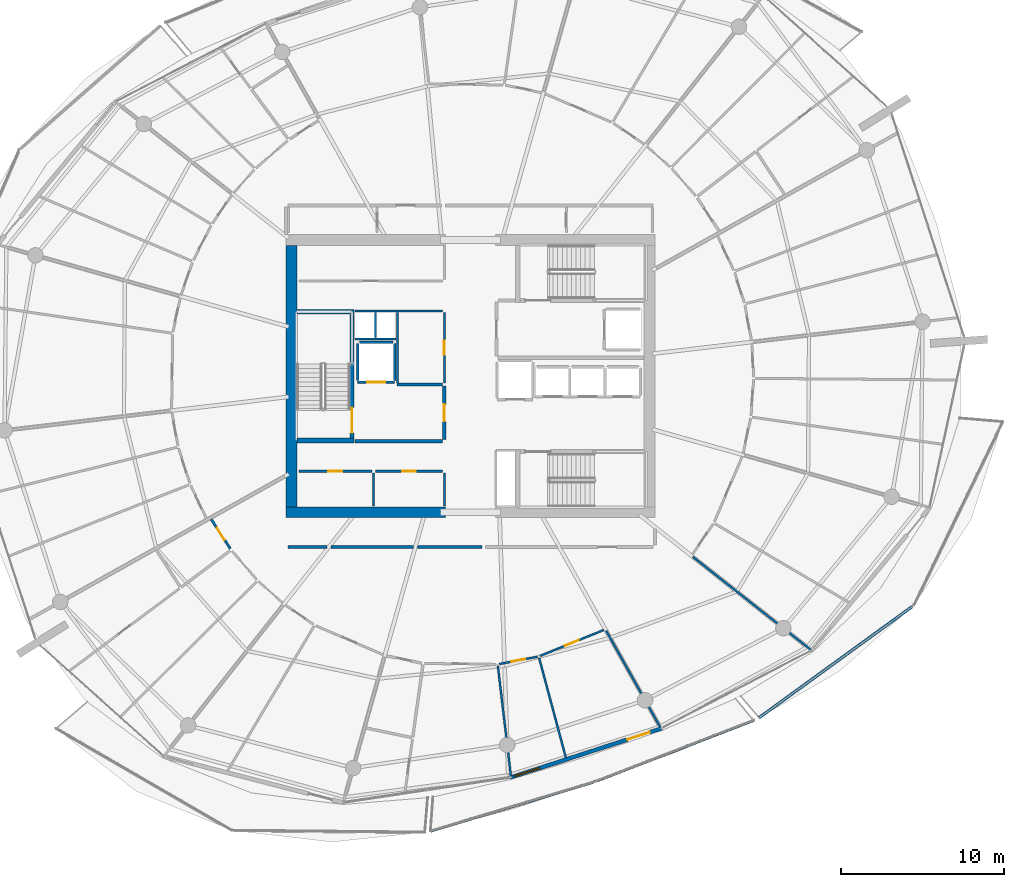
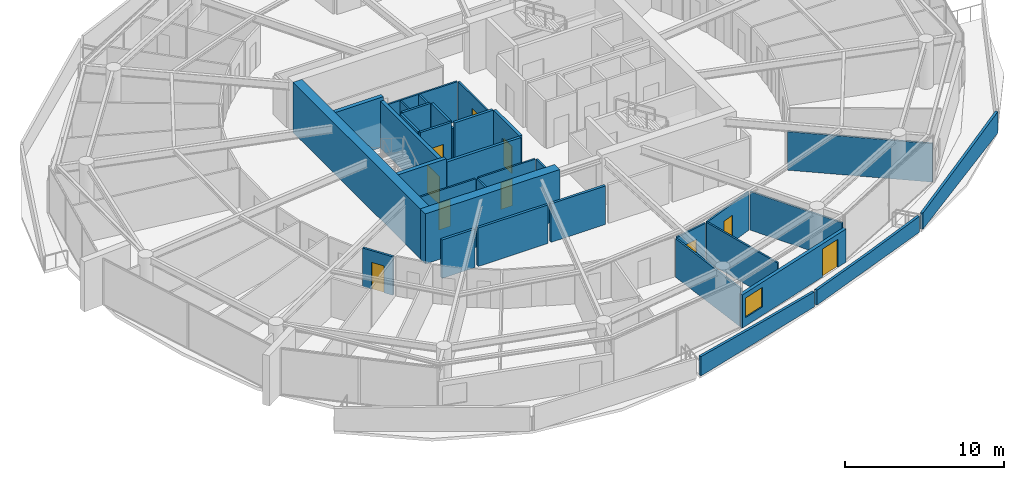
# One storey, part 19 of 30: 35 walls, 10 doors, 1 window, 11 openings.
"""IFC4 building model written with IfcOpenShell, lengths in metres."""

import ifcopenshell
import ifcopenshell.guid

model = None  # the IFC model being written
_history = None  # IfcOwnerHistory: only IFC2X3 demands one
_inside = {}  # id of a spatial element -> (the spatial element, [elements in it])
_under = {}  # id of a project, library or spatial element -> (it, [spatial elements below it])
_declared = {}  # id of a project -> (the project, [libraries it declares])
_typed = {}  # id of a type object -> (the type object, [elements of that type])
_made_of = {}  # id of a material, layer set ... -> (it, [elements and type objects made of it])


def new_model(schema):
    """Start an empty IFC model of exactly this schema.

    Asked for "IFC4X3", IfcOpenShell would pick the latest addendum, in which some entities
    have other attributes; the version numbers below select the first issue.
    IFC2X3 requires an IfcOwnerHistory on every rooted entity: one is made here for all.
    """
    global model, _history
    if schema == "IFC4X3":
        model = ifcopenshell.file(schema_version=(4, 3, 0, 0))
    else:
        model = ifcopenshell.file(schema=schema)
    _inside.clear()
    _under.clear()
    _declared.clear()
    _typed.clear()
    _made_of.clear()
    _history = None
    if model.schema == "IFC2X3":
        org = make("IfcOrganization", Name="unknown")
        user = make(
            "IfcPersonAndOrganization",
            ThePerson=make("IfcPerson", FamilyName="unknown"),
            TheOrganization=org,
        )
        app = make(
            "IfcApplication",
            ApplicationDeveloper=org,
            Version="unknown",
            ApplicationFullName="unknown",
            ApplicationIdentifier="unknown",
        )
        _history = make(
            "IfcOwnerHistory",
            OwningUser=user,
            OwningApplication=app,
            ChangeAction="ADDED",
            CreationDate=0,
        )
    return model


def make(cls, **values):
    """One entity of the class cls with the attributes given. An attribute that is None is left unset."""
    return model.create_entity(
        cls, **{name: value for name, value in values.items() if value is not None}
    )


def rooted(cls, **values):
    """An entity with a GlobalId (a new one), such as an element, a storey or a relation."""
    return make(cls, GlobalId=ifcopenshell.guid.new(), OwnerHistory=_history, **values)


def si_unit(unit_type, name, prefix=None):
    """IfcSIUnit, for example si_unit("LENGTHUNIT", "METRE", prefix="MILLI")."""
    return make("IfcSIUnit", UnitType=unit_type, Prefix=prefix, Name=name)


def assignment(units):
    """IfcUnitAssignment: the units of a project."""
    return None if units is None else make("IfcUnitAssignment", Units=units)


def point(xyz):
    """IfcCartesianPoint."""
    return None if xyz is None else make("IfcCartesianPoint", Coordinates=xyz)


def direction(xyz):
    """IfcDirection."""
    return None if xyz is None else make("IfcDirection", DirectionRatios=xyz)


def frame(location, z_axis=None, x_axis=None):
    """IfcAxis2Placement3D, a coordinate frame: its origin and axes. An axis left out is left unset."""
    return make(
        "IfcAxis2Placement3D",
        Location=point(location),
        Axis=direction(z_axis),
        RefDirection=direction(x_axis),
    )


def frame_2d(location, x_axis=None):
    """IfcAxis2Placement2D, a coordinate frame in the plane: its origin and x axis."""
    return make(
        "IfcAxis2Placement2D", Location=point(location), RefDirection=direction(x_axis)
    )


def origin():
    """The frame at (0, 0, 0) with its axes left unset."""
    return frame((0.0, 0.0, 0.0))


def place(relative_to, where):
    """IfcLocalPlacement: puts the frame where relative to a parent placement (None: the world)."""
    return make(
        "IfcLocalPlacement", PlacementRelTo=relative_to, RelativePlacement=where
    )


def context(
    kind, dimensions, precision=None, world=None, true_north=None, identifier=None
):
    """IfcGeometricRepresentationContext, for example the 3D "Model" context."""
    return make(
        "IfcGeometricRepresentationContext",
        ContextIdentifier=identifier,
        ContextType=kind,
        CoordinateSpaceDimension=dimensions,
        Precision=precision,
        WorldCoordinateSystem=world,
        TrueNorth=true_north,
    )


def subcontext(parent, identifier, kind, view, scale=None):
    """IfcGeometricRepresentationSubContext, for example "Body" below "Model"."""
    return make(
        "IfcGeometricRepresentationSubContext",
        ContextIdentifier=identifier,
        ContextType=kind,
        ParentContext=parent,
        TargetScale=scale,
        TargetView=view,
    )


def project(units=None, contexts=None):
    """IfcProject with its units and contexts."""
    return rooted(
        "IfcProject",
        Name="project",
        RepresentationContexts=contexts,
        UnitsInContext=assignment(units),
    )


def spatial(cls, under=None, at=None, **own):
    """A site, building, storey or space (cls), placed at a placement, below another one or the project."""
    s = rooted(cls, ObjectPlacement=at, **own)
    if under is not None:
        _under.setdefault(under.id(), (under, []))[1].append(s)
    return s


def polyline(points):
    """IfcPolyline through the points."""
    return make("IfcPolyline", Points=[point(p) for p in points])


def profile(cls, at=None, kind="AREA", **sizes):
    """A parametric profile (cls). Its sizes go by their IFC names, for example OverallWidth=200.0."""
    return make(cls, ProfileType=kind, Position=at, **sizes)


def rectangle(**sizes):
    """IfcRectangleProfileDef."""
    return profile("IfcRectangleProfileDef", **sizes)


def outline(outer, holes=None, kind="AREA"):
    """IfcArbitraryClosedProfileDef: a profile drawn as a closed curve; with holes, ...WithVoids."""
    if holes is None:
        return make("IfcArbitraryClosedProfileDef", ProfileType=kind, OuterCurve=outer)
    return make(
        "IfcArbitraryProfileDefWithVoids",
        ProfileType=kind,
        OuterCurve=outer,
        InnerCurves=holes,
    )


def extrude(swept, where, along, depth):
    """IfcExtrudedAreaSolid: the profile swept, set in the frame where, extruded along a direction by depth."""
    return make(
        "IfcExtrudedAreaSolid",
        SweptArea=swept,
        Position=where,
        ExtrudedDirection=direction(along),
        Depth=depth,
    )


def shape(context_of_items, identifier, shape_type, items):
    """IfcShapeRepresentation: the items that make up one representation, for example the "Body"."""
    return make(
        "IfcShapeRepresentation",
        ContextOfItems=context_of_items,
        RepresentationIdentifier=identifier,
        RepresentationType=shape_type,
        Items=items,
    )


def material(Name=None, Category=None):
    """IfcMaterial."""
    return make("IfcMaterial", Name=Name, Category=Category)


def layer(
    of_material, thickness, ventilated=None, Name=None, Category=None, Priority=None
):
    """IfcMaterialLayer: one layer of a wall or slab, of a material (None: an air gap)."""
    return make(
        "IfcMaterialLayer",
        Material=of_material,
        LayerThickness=thickness,
        IsVentilated=ventilated,
        Name=Name,
        Category=Category,
        Priority=Priority,
    )


def layer_set(layers, Name=None):
    """IfcMaterialLayerSet."""
    return make("IfcMaterialLayerSet", MaterialLayers=layers, LayerSetName=Name)


def made_of(thing, what):
    """Note that an element or type object is made of a material, layer set ...; save() writes the relation."""
    if what is not None:
        _made_of.setdefault(what.id(), (what, []))[1].append(thing)
    return thing


def type_object(cls, material=None, **own):
    """A type object (cls), such as IfcWallType, which elements share."""
    return made_of(rooted(cls, **own), material)


def element(
    cls,
    number,
    at=None,
    inside=None,
    cuts=None,
    type_object=None,
    material=None,
    context=None,
    identifier="Body",
    shape_type=None,
    held_by="IfcProductDefinitionShape",
    body=None,
    shapes=None,
    **own,
):
    """One element of the class cls, such as IfcWall. Its Tag is "e" and its number.

    at: its placement. inside: the storey or other place that contains it. cuts: it is an
    opening in that element (IfcRelVoidsElement). A single representation is given by context,
    identifier, shape_type and body (its items); several are given by shapes. held_by: the class
    of the entity that holds the representations. save() writes the other relations.
    """
    e = rooted(cls, Tag="e%d" % number, ObjectPlacement=at, **own)
    if body is not None:
        shapes = [shape(context, identifier, shape_type, body)]
    if shapes is not None:
        e.Representation = make(held_by, Representations=shapes)
    if inside is not None:
        _inside.setdefault(inside.id(), (inside, []))[1].append(e)
    if cuts is not None:
        rooted(
            "IfcRelVoidsElement", RelatingBuildingElement=cuts, RelatedOpeningElement=e
        )
    if type_object is not None:
        _typed.setdefault(type_object.id(), (type_object, []))[1].append(e)
    return made_of(e, material)


def fill(opening, filler):
    """IfcRelFillsElement: the door or window that sits in an opening."""
    return rooted(
        "IfcRelFillsElement",
        RelatingOpeningElement=opening,
        RelatedBuildingElement=filler,
    )


def aggregate(whole, parts):
    """IfcRelAggregates: a whole, such as a stair, and the parts it consists of."""
    return rooted("IfcRelAggregates", RelatingObject=whole, RelatedObjects=parts)


def save(model, path):
    """Write the relations noted so far, then the file.

    IfcRelAggregates (storeys below a building ...), IfcRelContainedInSpatialStructure (elements
    in a storey), IfcRelDefinesByType, IfcRelAssociatesMaterial and IfcRelDeclares: one each for
    every whole, place, type object, material and project.
    """
    for whole, parts in _under.values():
        aggregate(whole, parts)
    for where, things in _inside.values():
        rooted(
            "IfcRelContainedInSpatialStructure",
            RelatedElements=things,
            RelatingStructure=where,
        )
    for kind, things in _typed.values():
        rooted("IfcRelDefinesByType", RelatedObjects=things, RelatingType=kind)
    for what, things in _made_of.values():
        rooted("IfcRelAssociatesMaterial", RelatedObjects=things, RelatingMaterial=what)
    for by, libraries in _declared.values():
        rooted("IfcRelDeclares", RelatingContext=by, RelatedDefinitions=libraries)
    model.write(path)


model = new_model("IFC4")

# Units and contexts
model_context = context("Model", 3, precision=1e-05, world=origin(), true_north=direction((0.0, 1.0)))
body_context = subcontext(model_context, "Body", "Model", "MODEL_VIEW")
ifc_project = project(units=[si_unit("LENGTHUNIT", "METRE"), si_unit("AREAUNIT", "SQUARE_METRE"), si_unit("VOLUMEUNIT", "CUBIC_METRE"), si_unit("PLANEANGLEUNIT", "RADIAN"), si_unit("MASSUNIT", "GRAM", prefix="KILO")], contexts=[model_context])

# Site, building, storey
site_placement = place(None, origin())
site = spatial("IfcSite", under=ifc_project, at=site_placement, CompositionType="ELEMENT")
building_placement = place(site_placement, origin())
building = spatial("IfcBuilding", under=site, at=building_placement, Name="Kazma Halo Residences", CompositionType="ELEMENT")
storey_placement = place(building_placement, frame((0.0, 0.0, 244.39990234375)))
storey = spatial("IfcBuildingStorey", under=building, at=storey_placement, Name="L61", CompositionType="ELEMENT", Elevation=244.39990234375)

# Walls
ifc_material_1 = material(Name="White Concrete C50/60 Balustrade", Category="concrete")
ifc_layer_1 = layer(ifc_material_1, 0.179931640625)
ifc_layer_set_1 = layer_set([ifc_layer_1], Name="White Concrete C50/60 Balustrade")
wall_type_1 = type_object("IfcWallType", Name="WL-BAL-WAVE-180", PredefinedType="PARAPET", material=ifc_layer_set_1)
wall_1_placement = place(storey_placement, frame((45.980224609375, 14.16357421875, 0.0), z_axis=(0.0, 0.0, 1.0), x_axis=(0.957650459476, 0.287933321214, 0.0)))
element("IfcWall", 1, at=wall_1_placement, inside=storey, type_object=wall_type_1, Name="L61 white wave balustrade wall SSE.1", PredefinedType="PARAPET", context=body_context, shape_type="SweptSolid", body=[
    extrude(outline(polyline([(0.0, 0.0), (10.405517578125, 0.0), (10.405517578125, 1.148193359375), (5.20263671875, 1.2841796875), (0.0, 1.483154296875), (0.0, 0.0)])), frame((0.0, 0.08984375, 0.0), z_axis=(0.0, -1.0, 0.0), x_axis=(1.0, 0.0, 0.0)), (0.0, 0.0, 1.0), 0.179931640625),
])
wall_2_placement = place(storey_placement, frame((56.171875, 17.237548828125, 0.0), z_axis=(0.0, 0.0, 1.0), x_axis=(0.9326848715, 0.36069229334, 0.0)))
element("IfcWall", 2, at=wall_2_placement, inside=storey, type_object=wall_type_1, Name="L61 white wave balustrade wall SSE.2", PredefinedType="PARAPET", context=body_context, shape_type="SweptSolid", body=[
    extrude(outline(polyline([(0.0, 0.0), (10.281005859375, 0.0), (10.281005859375, 1.22412109375), (5.140380859375, 1.127197265625), (0.0, 1.148193359375), (0.0, 0.0)])), frame((0.0, 0.08984375, 0.0), z_axis=(0.0, -1.0, 0.0), x_axis=(1.0, 0.0, 0.0)), (0.0, 0.0, 1.0), 0.179931640625),
])
wall_3_placement = place(storey_placement, frame((66.076416015625, 21.09521484375, 0.0), z_axis=(0.0, 0.0, 1.0), x_axis=(0.809261043527, 0.587449200722, 0.0)))
element("IfcWall", 3, at=wall_3_placement, inside=storey, type_object=wall_type_1, Name="L61 white wave balustrade wall SE.1", PredefinedType="PARAPET", context=body_context, shape_type="SweptSolid", body=[
    extrude(outline(polyline([(0.0, 0.0), (11.576904296875, 0.0), (11.576904296875, 1.632080078125), (5.788330078125, 1.418212890625), (0.0, 1.233154296875), (0.0, 0.0)])), frame((0.0, 0.08984375, 0.0), z_axis=(0.0, -1.0, 0.0), x_axis=(1.0, 0.0, 0.0)), (0.0, 0.0, 1.0), 0.179931640625),
])
ifc_material_2 = material(Name="Concrete C60/75", Category="concrete")
ifc_layer_2 = layer(ifc_material_2, 0.64990234375)
ifc_layer_set_2 = layer_set([ifc_layer_2], Name="Concrete C60/75")
wall_type_2 = type_object("IfcWallType", Name="WL-CORE-650", PredefinedType="SHEAR", material=ifc_layer_set_2)
wall_4_placement = place(storey_placement, frame((37.14990234375, 33.675048828125, 0.0), z_axis=(0.0, 0.0, 1.0), x_axis=(1.0, 0.0, 0.0)))
element("IfcWall", 4, at=wall_4_placement, inside=storey, type_object=wall_type_2, Name="L61 central core shear wall SW", PredefinedType="SHEAR", context=body_context, shape_type="SweptSolid", body=[
    extrude(rectangle(XDim=9.75, YDim=0.64990234375, at=frame_2d((4.875, 0.0))), origin(), (0.0, 0.0, 1.0), 3.85009765625),
])
wall_5_placement = place(storey_placement, frame((37.47509765625, 34.0, 0.0), z_axis=(0.0, 0.0, 1.0), x_axis=(0.0, 1.0, 0.0)))
element("IfcWall", 5, at=wall_5_placement, inside=storey, type_object=wall_type_2, Name="L61 central core shear wall W", PredefinedType="SHEAR", context=body_context, shape_type="SweptSolid", body=[
    extrude(rectangle(XDim=16.0, YDim=0.64990234375, at=frame_2d((8.0, 0.0))), origin(), (0.0, 0.0, 1.0), 3.85009765625),
])
ifc_layer_3 = layer(ifc_material_2, 0.280029296875)
ifc_layer_set_3 = layer_set([ifc_layer_3], Name="Concrete C60/75")
wall_type_3 = type_object("IfcWallType", Name="WL-CORE-ST-280", PredefinedType="SHEAR", material=ifc_layer_set_3)
for number, where, z_axis, x_axis, name in (
    (6, (37.800048828125, 38.06005859375, 0.0), (0.0, 0.0, 1.0), (1.0, 0.0, 0.0), "L61 stairwell bearing wall ST01-S"),
    (7, (37.800048828125, 45.93994140625, 0.0), (0.0, 0.0, 1.0), (1.0, 0.0, 0.0), "L61 stairwell bearing wall ST01-N"),
):
    element("IfcWall", number, at=place(storey_placement, frame(where, z_axis=z_axis, x_axis=x_axis)), inside=storey, type_object=wall_type_3, Name=name, PredefinedType="SHEAR", context=body_context, shape_type="SweptSolid", body=[
        extrude(rectangle(XDim=3.5, YDim=0.280029296875, at=frame_2d((1.75, 0.0))), origin(), (0.0, 0.0, 1.0), 3.85009765625),
    ])
ifc_material_3 = material(Name="Acoustic Twin-Stud Gypsum")
ifc_layer_4 = layer(ifc_material_3, 0.179931640625)
ifc_layer_set_4 = layer_set([ifc_layer_4], Name="Acoustic Twin-Stud Gypsum")
wall_type_4 = type_object("IfcWallType", Name="WL-DEM-180", PredefinedType="PARTITIONING", material=ifc_layer_set_4)
wall_6_placement = place(storey_placement, frame((37.27001953125, 31.550048828125, 0.0), z_axis=(0.0, 0.0, 1.0), x_axis=(1.0, 0.0, 0.0)))
element("IfcWall", 8, at=wall_6_placement, inside=storey, type_object=wall_type_4, Name="L61 Apartment 2 inner wall 8", PredefinedType="PARTITIONING", context=body_context, shape_type="SweptSolid", body=[
    extrude(rectangle(XDim=2.371826171875, YDim=0.179931640625, at=frame_2d((1.18603515625, 0.0))), origin(), (0.0, 0.0, 1.0), 2.95703125),
])
wall_7_placement = place(storey_placement, frame((39.8818359375, 31.550048828125, 0.0), z_axis=(0.0, 0.0, 1.0), x_axis=(1.0, 0.0, 0.0)))
element("IfcWall", 9, at=wall_7_placement, inside=storey, type_object=wall_type_4, Name="L61 Apartment 2 inner wall 9", PredefinedType="PARTITIONING", context=body_context, shape_type="SweptSolid", body=[
    extrude(rectangle(XDim=5.051025390625, YDim=0.179931640625, at=frame_2d((2.525390625, 0.0))), origin(), (0.0, 0.0, 1.0), 2.95703125),
])
wall_8_placement = place(storey_placement, frame((45.1728515625, 31.550048828125, 0.0), z_axis=(0.0, 0.0, 1.0), x_axis=(1.0, 0.0, 0.0)))
element("IfcWall", 10, at=wall_8_placement, inside=storey, type_object=wall_type_4, Name="L61 Apartment 2 inner wall 10", PredefinedType="PARTITIONING", context=body_context, shape_type="SweptSolid", body=[
    extrude(rectangle(XDim=3.94384765625, YDim=0.179931640625, at=frame_2d((1.971923828125, 0.0))), origin(), (0.0, 0.0, 1.0), 2.95703125),
])

# Wall, openings, door, window
ifc_material_4 = material(Name="Insulated Pale-Metal Composite Wall")
ifc_layer_5 = layer(ifc_material_4, 0.239990234375)
ifc_layer_set_5 = layer_set([ifc_layer_5], Name="Insulated Pale-Metal Composite Wall")
wall_type_5 = type_object("IfcWallType", Name="WL-EXT-HOST-240", PredefinedType="SOLIDWALL", material=ifc_layer_set_5)
wall_9_placement = place(storey_placement, frame((50.85791015625, 17.436279296875, 0.0), z_axis=(0.0, 0.0, 1.0), x_axis=(0.951055974609, 0.309018661507, 0.0)))
wall_9 = element("IfcWall", 11, at=wall_9_placement, inside=storey, type_object=wall_type_5, Name="L61 exterior terrace-access wall B12", PredefinedType="SOLIDWALL", context=body_context, shape_type="SweptSolid", body=[
    extrude(rectangle(XDim=9.745361328125, YDim=0.239990234375, at=frame_2d((4.87255859375, 0.0))), origin(), (0.0, 0.0, 1.0), 2.5400390625),
])
opening_1_placement = place(wall_9_placement, frame((7.525390625, 0.0, 0.0)))
opening_1 = element("IfcOpeningElement", 12, at=opening_1_placement, cuts=wall_9, Name="Opening DTR-1600", PredefinedType="OPENING", context=body_context, shape_type="SweptSolid", body=[
    extrude(rectangle(XDim=1.449951171875, YDim=2.14990234375, at=frame_2d((0.72509765625, 1.074951171875))), frame((0.0, 0.1298828125, 0.0), z_axis=(0.0, -1.0, 0.0), x_axis=(1.0, 0.0, 0.0)), (0.0, 0.0, 1.0), 0.260009765625),
])
opening_2_placement = place(wall_9_placement, frame((0.280029296875, 0.0, 0.64990234375)))
opening_2 = element("IfcOpeningElement", 13, at=opening_2_placement, cuts=wall_9, Name="Opening W-1800", PredefinedType="OPENING", context=body_context, shape_type="SweptSolid", body=[
    extrude(rectangle(XDim=1.60009765625, YDim=1.5, at=frame_2d((0.800048828125, 0.75))), frame((0.0, 0.1298828125, 0.0), z_axis=(0.0, -1.0, 0.0), x_axis=(1.0, 0.0, 0.0)), (0.0, 0.0, 1.0), 0.260009765625),
])
ifc_material_5 = material(Name="Aluminium AW-6063 T6 Double-Glazed Terrace Door", Category="aluminium")
door_type_1 = type_object("IfcDoorType", Name="DR-EXT-TERR-1600", OperationType="NOTDEFINED", PredefinedType="DOOR", material=ifc_material_5)
door_1_placement = place(opening_1_placement, origin())
door_1 = element("IfcDoor", 14, at=door_1_placement, inside=storey, type_object=door_type_1, Name="L61 B12 balcony terrace door", OperationType="DOUBLE_DOOR_SLIDING", OverallHeight=2.14990234375, OverallWidth=1.449951171875, PredefinedType="DOOR", context=body_context, shape_type="SweptSolid", body=[
    extrude(rectangle(XDim=1.449951171875, YDim=2.14990234375, at=frame_2d((0.72509765625, 1.074951171875))), frame((0.0, 0.02490234375, 0.0), z_axis=(0.0, -1.0, 0.0), x_axis=(1.0, 0.0, 0.0)), (0.0, 0.0, 1.0), 0.050048828125),
])
fill(opening_1, door_1)
ifc_material_6 = material(Name="Clear Triple-Silver Low-E Glass in Aluminium AW-6063 T6 Frame", Category="aluminium")
window_type = type_object("IfcWindowType", Name="WIN-RES-1800", PartitioningType="DOUBLE_PANEL_VERTICAL", PredefinedType="WINDOW", material=ifc_material_6)
window_placement = place(opening_2_placement, origin())
window = element("IfcWindow", 15, at=window_placement, inside=storey, type_object=window_type, Name="L61 B12 apartment window", OverallHeight=1.5, OverallWidth=1.60009765625, PartitioningType="SINGLE_PANEL", PredefinedType="WINDOW", context=body_context, shape_type="SweptSolid", body=[
    extrude(rectangle(XDim=1.60009765625, YDim=1.5, at=frame_2d((0.800048828125, 0.75))), frame((0.0, 0.030029296875, 0.0), z_axis=(0.0, -1.0, 0.0), x_axis=(1.0, 0.0, 0.0)), (0.0, 0.0, 1.0), 0.06005859375),
])
fill(opening_2, window)

# Wall, opening, door
ifc_material_7 = material(Name="Fire-Rated Blockwork Masonry", Category="masonry")
ifc_layer_6 = layer(ifc_material_7, 0.199951171875)
ifc_layer_set_6 = layer_set([ifc_layer_6], Name="Fire-Rated Blockwork Masonry")
wall_type_6 = type_object("IfcWallType", Name="WL-FLB-200", PredefinedType="PARTITIONING", material=ifc_layer_set_6)
wall_10_placement = place(storey_placement, frame((43.780029296875, 41.6201171875, 0.0), z_axis=(0.0, 0.0, 1.0), x_axis=(-1.0, 0.0, 0.0)))
wall_10 = element("IfcWall", 16, at=wall_10_placement, inside=storey, type_object=wall_type_6, Name="L61 lift shaft FL-01 front wall", PredefinedType="PARTITIONING", context=body_context, shape_type="SweptSolid", body=[
    extrude(rectangle(XDim=2.260009765625, YDim=0.159912109375, at=frame_2d((1.1298828125, 0.0))), origin(), (0.0, 0.0, 1.0), 3.590087890625),
])
opening_3_placement = place(wall_10_placement, frame((0.580078125, 0.0, 0.0)))
opening_3 = element("IfcOpeningElement", 17, at=opening_3_placement, cuts=wall_10, Name="Opening LD-FL-01", PredefinedType="OPENING", context=body_context, shape_type="SweptSolid", body=[
    extrude(rectangle(XDim=1.10009765625, YDim=2.10009765625, at=frame_2d((0.550048828125, 1.050048828125))), frame((0.0, 0.08984375, 0.0), z_axis=(0.0, -1.0, 0.0), x_axis=(1.0, 0.0, 0.0)), (0.0, 0.0, 1.0), 0.179931640625),
])
ifc_material_8 = material(Name="Stainless Steel Fire-Rated", Category="steel")
door_type_2 = type_object("IfcDoorType", Name="DR-LIFT-SLD-1100", OperationType="DOUBLE_DOOR_SLIDING", PredefinedType="DOOR", material=ifc_material_8)
door_2_placement = place(opening_3_placement, origin())
door_2 = element("IfcDoor", 18, at=door_2_placement, inside=storey, type_object=door_type_2, Name="L61 lift FL-01 sliding landing door", OperationType="DOUBLE_DOOR_SLIDING", OverallHeight=2.10009765625, OverallWidth=1.10009765625, PredefinedType="DOOR", context=body_context, shape_type="SweptSolid", body=[
    extrude(rectangle(XDim=1.10009765625, YDim=2.10009765625, at=frame_2d((0.550048828125, 1.050048828125))), frame((0.0, 0.02490234375, 0.0), z_axis=(0.0, -1.0, 0.0), x_axis=(1.0, 0.0, 0.0)), (0.0, 0.0, 1.0), 0.050048828125),
])
fill(opening_3, door_2)

# Walls
for number, where, z_axis, x_axis, name in (
    (19, (43.780029296875, 41.719970703125, 0.0), (0.0, 0.0, 1.0), (0.0, 1.0, 0.0), "L61 lift shaft FL-01 side wall E"),
    (20, (41.52001953125, 41.719970703125, 0.0), (0.0, 0.0, 1.0), (0.0, 1.0, 0.0), "L61 lift shaft FL-01 side wall W"),
):
    element("IfcWall", number, at=place(storey_placement, frame(where, z_axis=z_axis, x_axis=x_axis)), inside=storey, type_object=wall_type_6, Name=name, PredefinedType="PARTITIONING", context=body_context, shape_type="SweptSolid", body=[
        extrude(rectangle(XDim=2.260009765625, YDim=0.159912109375, at=frame_2d((1.1298828125, 0.0))), origin(), (0.0, 0.0, 1.0), 3.590087890625),
    ])
wall_11_placement = place(storey_placement, frame((41.6201171875, 44.080078125, 0.0), z_axis=(0.0, 0.0, 1.0), x_axis=(1.0, 0.0, 0.0)))
element("IfcWall", 21, at=wall_11_placement, inside=storey, type_object=wall_type_6, Name="L61 lift shaft FL-01 side wall N", PredefinedType="PARTITIONING", context=body_context, shape_type="SweptSolid", body=[
    extrude(rectangle(XDim=2.059814453125, YDim=0.159912109375, at=frame_2d((1.02978515625, 0.0))), origin(), (0.0, 0.0, 1.0), 3.590087890625),
])
wall_12_placement = place(storey_placement, frame((41.35009765625, 38.02001953125, 0.0), z_axis=(0.0, 0.0, 1.0), x_axis=(1.0, 0.0, 0.0)))
element("IfcWall", 22, at=wall_12_placement, inside=storey, type_object=wall_type_6, Name="L61 west firefighting lobby south smoke wall", PredefinedType="PARTITIONING", context=body_context, shape_type="SweptSolid", body=[
    extrude(rectangle(XDim=5.369873046875, YDim=0.199951171875, at=frame_2d((2.68505859375, 0.0))), origin(), (0.0, 0.0, 1.0), 3.590087890625),
])
wall_13_placement = place(storey_placement, frame((43.919921875, 41.47998046875, 0.0), z_axis=(0.0, 0.0, 1.0), x_axis=(1.0, 0.0, 0.0)))
element("IfcWall", 23, at=wall_13_placement, inside=storey, type_object=wall_type_6, Name="L61 west firefighting lobby north smoke wall", PredefinedType="PARTITIONING", context=body_context, shape_type="SweptSolid", body=[
    extrude(rectangle(XDim=2.800048828125, YDim=0.199951171875, at=frame_2d((1.39990234375, 0.0))), origin(), (0.0, 0.0, 1.0), 3.590087890625),
])

# Wall, opening, door
wall_14_placement = place(storey_placement, frame((46.820068359375, 38.1201171875, 0.0), z_axis=(0.0, 0.0, 1.0), x_axis=(0.0, 1.0, 0.0)))
wall_14 = element("IfcWall", 24, at=wall_14_placement, inside=storey, type_object=wall_type_6, Name="L61 west firefighting lobby smoke wall", PredefinedType="PARTITIONING", context=body_context, shape_type="SweptSolid", body=[
    extrude(rectangle(XDim=3.259765625, YDim=0.199951171875, at=frame_2d((1.6298828125, 0.0))), origin(), (0.0, 0.0, 1.0), 3.590087890625),
])
opening_4_placement = place(wall_14_placement, frame((1.10498046875, 0.0, 0.0)))
opening_4 = element("IfcOpeningElement", 25, at=opening_4_placement, cuts=wall_14, Name="Opening D-FLW", PredefinedType="OPENING", context=body_context, shape_type="SweptSolid", body=[
    extrude(rectangle(XDim=1.050048828125, YDim=2.10009765625, at=frame_2d((0.52490234375, 1.050048828125))), frame((0.0, 0.10986328125, 0.0), z_axis=(0.0, -1.0, 0.0), x_axis=(1.0, 0.0, 0.0)), (0.0, 0.0, 1.0), 0.219970703125),
])
ifc_material_9 = material(Name="Fire-Rated Steel Leaf", Category="steel")
door_type_3 = type_object("IfcDoorType", Name="DR-FD90-1050", OperationType="NOTDEFINED", PredefinedType="DOOR", material=ifc_material_9)
door_3_placement = place(opening_4_placement, origin())
door_3 = element("IfcDoor", 26, at=door_3_placement, inside=storey, type_object=door_type_3, Name="L61 west firefighting lobby smoke door", OperationType="SINGLE_SWING_RIGHT", OverallHeight=2.10009765625, OverallWidth=1.050048828125, PredefinedType="DOOR", context=body_context, shape_type="SweptSolid", body=[
    extrude(rectangle(XDim=1.050048828125, YDim=2.10009765625, at=frame_2d((0.52490234375, 1.050048828125))), frame((0.0, 0.02490234375, 0.0), z_axis=(0.0, -1.0, 0.0), x_axis=(1.0, 0.0, 0.0)), (0.0, 0.0, 1.0), 0.050048828125),
])
fill(opening_4, door_3)

# Walls
ifc_material_10 = material(Name="Gypsum Plasterboard Partition")
ifc_layer_7 = layer(ifc_material_10, 0.125)
ifc_layer_set_7 = layer_set([ifc_layer_7], Name="Gypsum Plasterboard Partition")
wall_type_7 = type_object("IfcWallType", Name="WL-PART-125", PredefinedType="PARTITIONING", material=ifc_layer_set_7)
for number, where, z_axis, x_axis, name in (
    (27, (46.820068359375, 34.050048828125, 0.0), (0.0, 0.0, 1.0), (0.0, 1.0, 0.0), "L61 reclaimed south east wall"),
    (28, (42.5, 34.050048828125, 0.0), (0.0, 0.0, 1.0), (0.0, 1.0, 0.0), "L61 reclaimed south divider wall"),
):
    element("IfcWall", number, at=place(storey_placement, frame(where, z_axis=z_axis, x_axis=x_axis)), inside=storey, type_object=wall_type_7, Name=name, PredefinedType="PARTITIONING", context=body_context, shape_type="SweptSolid", body=[
        extrude(rectangle(XDim=2.030029296875, YDim=0.125, at=frame_2d((1.01513671875, 0.0))), origin(), (0.0, 0.0, 1.0), 3.030029296875),
    ])

# Wall, opening, door
wall_15_placement = place(storey_placement, frame((37.919921875, 36.179931640625, 0.0), z_axis=(0.0, 0.0, 1.0), x_axis=(1.0, 0.0, 0.0)))
wall_15 = element("IfcWall", 29, at=wall_15_placement, inside=storey, type_object=wall_type_7, Name="L61 reclaimed south W front wall", PredefinedType="PARTITIONING", context=body_context, shape_type="SweptSolid", body=[
    extrude(rectangle(XDim=4.47998046875, YDim=0.125, at=frame_2d((2.239990234375, 0.0))), origin(), (0.0, 0.0, 1.0), 3.030029296875),
])
opening_5_placement = place(wall_15_placement, frame((1.81494140625, 0.0, 0.0)))
opening_5 = element("IfcOpeningElement", 30, at=opening_5_placement, cuts=wall_15, Name="Opening DS-850", PredefinedType="OPENING", context=body_context, shape_type="SweptSolid", body=[
    extrude(rectangle(XDim=0.85009765625, YDim=2.06005859375, at=frame_2d((0.425048828125, 1.030029296875))), frame((0.0, 0.072509765625, 0.0), z_axis=(0.0, -1.0, 0.0), x_axis=(1.0, 0.0, 0.0)), (0.0, 0.0, 1.0), 0.14501953125),
])
ifc_material_11 = material(Name="Painted Steel Access Leaf", Category="steel")
door_type_4 = type_object("IfcDoorType", Name="DR-SVC-850", OperationType="NOTDEFINED", PredefinedType="DOOR", material=ifc_material_11)
door_4_placement = place(opening_5_placement, origin())
door_4 = element("IfcDoor", 31, at=door_4_placement, inside=storey, type_object=door_type_4, Name="L61 reclaimed south W door", OperationType="SINGLE_SWING_RIGHT", OverallHeight=2.06005859375, OverallWidth=0.85009765625, PredefinedType="DOOR", context=body_context, shape_type="SweptSolid", body=[
    extrude(rectangle(XDim=0.85009765625, YDim=2.06005859375, at=frame_2d((0.425048828125, 1.030029296875))), frame((0.0, 0.02490234375, 0.0), z_axis=(0.0, -1.0, 0.0), x_axis=(1.0, 0.0, 0.0)), (0.0, 0.0, 1.0), 0.050048828125),
])
fill(opening_5, door_4)

wall_16_placement = place(storey_placement, frame((42.60009765625, 36.179931640625, 0.0), z_axis=(0.0, 0.0, 1.0), x_axis=(1.0, 0.0, 0.0)))
wall_16 = element("IfcWall", 32, at=wall_16_placement, inside=storey, type_object=wall_type_7, Name="L61 reclaimed south E front wall", PredefinedType="PARTITIONING", context=body_context, shape_type="SweptSolid", body=[
    extrude(rectangle(XDim=4.119873046875, YDim=0.125, at=frame_2d((2.06005859375, 0.0))), origin(), (0.0, 0.0, 1.0), 3.030029296875),
])
opening_6_placement = place(wall_16_placement, frame((1.635009765625, 0.0, 0.0)))
opening_6 = element("IfcOpeningElement", 33, at=opening_6_placement, cuts=wall_16, Name="Opening DS-850", PredefinedType="OPENING", context=body_context, shape_type="SweptSolid", body=[
    extrude(rectangle(XDim=0.85009765625, YDim=2.06005859375, at=frame_2d((0.425048828125, 1.030029296875))), frame((0.0, 0.072509765625, 0.0), z_axis=(0.0, -1.0, 0.0), x_axis=(1.0, 0.0, 0.0)), (0.0, 0.0, 1.0), 0.14501953125),
])
door_5_placement = place(opening_6_placement, origin())
door_5 = element("IfcDoor", 34, at=door_5_placement, inside=storey, type_object=door_type_4, Name="L61 reclaimed south E door", OperationType="SINGLE_SWING_LEFT", OverallHeight=2.06005859375, OverallWidth=0.85009765625, PredefinedType="DOOR", context=body_context, shape_type="SweptSolid", body=[
    extrude(rectangle(XDim=0.85009765625, YDim=2.06005859375, at=frame_2d((0.425048828125, 1.030029296875))), frame((0.0, 0.02490234375, 0.0), z_axis=(0.0, -1.0, 0.0), x_axis=(1.0, 0.0, 0.0)), (0.0, 0.0, 1.0), 0.050048828125),
])
fill(opening_6, door_5)

# Walls
wall_17_placement = place(storey_placement, frame((41.360107421875, 45.97998046875, 0.0), z_axis=(0.0, 0.0, 1.0), x_axis=(1.0, 0.0, 0.0)))
element("IfcWall", 35, at=wall_17_placement, inside=storey, type_object=wall_type_7, Name="L61 core north riser wall", PredefinedType="PARTITIONING", context=body_context, shape_type="SweptSolid", body=[
    extrude(rectangle(XDim=5.35986328125, YDim=0.125, at=frame_2d((2.679931640625, 0.0))), origin(), (0.0, 0.0, 1.0), 3.030029296875),
])
wall_18_placement = place(storey_placement, frame((41.360107421875, 44.260009765625, 0.0), z_axis=(0.0, 0.0, 1.0), x_axis=(1.0, 0.0, 0.0)))
element("IfcWall", 36, at=wall_18_placement, inside=storey, type_object=wall_type_7, Name="L61 core riser south wall", PredefinedType="PARTITIONING", context=body_context, shape_type="SweptSolid", body=[
    extrude(rectangle(XDim=2.5, YDim=0.125, at=frame_2d((1.25, 0.0))), origin(), (0.0, 0.0, 1.0), 3.030029296875),
])
wall_19_placement = place(storey_placement, frame((42.60009765625, 44.35009765625, 0.0), z_axis=(0.0, 0.0, 1.0), x_axis=(0.0, 1.0, 0.0)))
element("IfcWall", 37, at=wall_19_placement, inside=storey, type_object=wall_type_7, Name="L61 core riser divider wall", PredefinedType="PARTITIONING", context=body_context, shape_type="SweptSolid", body=[
    extrude(rectangle(XDim=1.5498046875, YDim=0.125, at=frame_2d((0.77490234375, 0.0))), origin(), (0.0, 0.0, 1.0), 3.030029296875),
])
wall_20_placement = place(storey_placement, frame((43.949951171875, 41.580078125, 0.0), z_axis=(0.0, 0.0, 1.0), x_axis=(0.0, 1.0, 0.0)))
element("IfcWall", 38, at=wall_20_placement, inside=storey, type_object=wall_type_7, Name="L61 core service west wall", PredefinedType="PARTITIONING", context=body_context, shape_type="SweptSolid", body=[
    extrude(rectangle(XDim=4.31982421875, YDim=0.125, at=frame_2d((2.159912109375, 0.0))), origin(), (0.0, 0.0, 1.0), 3.030029296875),
])

# Wall, opening, door
wall_21_placement = place(storey_placement, frame((46.820068359375, 41.580078125, 0.0), z_axis=(0.0, 0.0, 1.0), x_axis=(0.0, 1.0, 0.0)))
wall_21 = element("IfcWall", 39, at=wall_21_placement, inside=storey, type_object=wall_type_7, Name="L61 core service room east wall", PredefinedType="PARTITIONING", context=body_context, shape_type="SweptSolid", body=[
    extrude(rectangle(XDim=4.2998046875, YDim=0.125, at=frame_2d((2.14990234375, 0.0))), origin(), (0.0, 0.0, 1.0), 3.030029296875),
])
opening_7_placement = place(wall_21_placement, frame((1.72509765625, 0.0, 0.0)))
opening_7 = element("IfcOpeningElement", 40, at=opening_7_placement, cuts=wall_21, Name="Opening DS-850", PredefinedType="OPENING", context=body_context, shape_type="SweptSolid", body=[
    extrude(rectangle(XDim=0.85009765625, YDim=2.06005859375, at=frame_2d((0.425048828125, 1.030029296875))), frame((0.0, 0.072509765625, 0.0), z_axis=(0.0, -1.0, 0.0), x_axis=(1.0, 0.0, 0.0)), (0.0, 0.0, 1.0), 0.14501953125),
])
door_6_placement = place(opening_7_placement, origin())
door_6 = element("IfcDoor", 41, at=door_6_placement, inside=storey, type_object=door_type_4, Name="L61 core service room door", OperationType="SINGLE_SWING_RIGHT", OverallHeight=2.06005859375, OverallWidth=0.85009765625, PredefinedType="DOOR", context=body_context, shape_type="SweptSolid", body=[
    extrude(rectangle(XDim=0.85009765625, YDim=2.06005859375, at=frame_2d((0.425048828125, 1.030029296875))), frame((0.0, 0.02490234375, 0.0), z_axis=(0.0, -1.0, 0.0), x_axis=(1.0, 0.0, 0.0)), (0.0, 0.0, 1.0), 0.050048828125),
])
fill(opening_7, door_6)

# Walls
wall_22_placement = place(storey_placement, frame((50.098876953125, 24.266845703125, 0.0), z_axis=(0.0, 0.0, 1.0), x_axis=(0.117541429875, -0.993067979679, 0.0)))
element("IfcWall", 42, at=wall_22_placement, inside=storey, type_object=wall_type_7, Name="L61 Apartment 2 radial partition 11", PredefinedType="PARTITIONING", context=body_context, shape_type="SweptSolid", body=[
    extrude(rectangle(XDim=6.837646484375, YDim=0.125, at=frame_2d((3.4189453125, 0.0))), origin(), (0.0, 0.0, 1.0), 2.95703125),
])
wall_23_placement = place(storey_placement, frame((56.725341796875, 26.419921875, 0.0), z_axis=(0.0, 0.0, 1.0), x_axis=(0.488624332812, -0.872494275846, 0.0)))
element("IfcWall", 43, at=wall_23_placement, inside=storey, type_object=wall_type_7, Name="L61 Apartment 2 living radial partition 11", PredefinedType="PARTITIONING", context=body_context, shape_type="SweptSolid", body=[
    extrude(rectangle(XDim=6.73779296875, YDim=0.125, at=frame_2d((3.368896484375, 0.0))), origin(), (0.0, 0.0, 1.0), 2.95703125),
])
wall_24_placement = place(storey_placement, frame((52.621337890625, 24.76171875, 0.0), z_axis=(0.0, 0.0, 1.0), x_axis=(0.258970884365, -0.96588512829, 0.0)))
element("IfcWall", 44, at=wall_24_placement, inside=storey, type_object=wall_type_7, Name="L61 Apartment 2 mid-bay wall 11", PredefinedType="PARTITIONING", context=body_context, shape_type="SweptSolid", body=[
    extrude(rectangle(XDim=6.305908203125, YDim=0.125, at=frame_2d((3.15283203125, 0.0))), origin(), (0.0, 0.0, 1.0), 3.030029296875),
])

# Wall, opening, door
wall_25_placement = place(storey_placement, frame((50.185302734375, 24.385009765625, 0.0), z_axis=(0.0, 0.0, 1.0), x_axis=(0.982037935844, 0.188683577884, 0.0)))
wall_25 = element("IfcWall", 45, at=wall_25_placement, inside=storey, type_object=wall_type_7, Name="L61 Apartment 2 Outer Dressing Wardrobe hall wall", PredefinedType="PARTITIONING", context=body_context, shape_type="SweptSolid", body=[
    extrude(rectangle(XDim=2.376953125, YDim=0.125, at=frame_2d((1.1884765625, 0.0))), origin(), (0.0, 0.0, 1.0), 2.95703125),
])
opening_8_placement = place(wall_25_placement, frame((0.763427734375, 0.0, 0.0)))
opening_8 = element("IfcOpeningElement", 46, at=opening_8_placement, cuts=wall_25, Name="Opening DB-900", PredefinedType="OPENING", context=body_context, shape_type="SweptSolid", body=[
    extrude(rectangle(XDim=0.85009765625, YDim=2.06005859375, at=frame_2d((0.425048828125, 1.030029296875))), frame((0.0, 0.072509765625, 0.0), z_axis=(0.0, -1.0, 0.0), x_axis=(1.0, 0.0, 0.0)), (0.0, 0.0, 1.0), 0.14501953125),
])
ifc_material_12 = material(Name="Moisture-Sealed Timber Leaf", Category="wood")
door_type_5 = type_object("IfcDoorType", Name="DR-BTH-900", OperationType="NOTDEFINED", PredefinedType="DOOR", material=ifc_material_12)
door_7_placement = place(opening_8_placement, origin())
door_7 = element("IfcDoor", 47, at=door_7_placement, inside=storey, type_object=door_type_5, Name="L61 Apartment 2 Outer Dressing Wardrobe door", OperationType="SINGLE_SWING_LEFT", OverallHeight=2.06005859375, OverallWidth=0.85009765625, PredefinedType="DOOR", context=body_context, shape_type="SweptSolid", body=[
    extrude(rectangle(XDim=0.85009765625, YDim=2.06005859375, at=frame_2d((0.425048828125, 1.030029296875))), frame((0.0, 0.02490234375, 0.0), z_axis=(0.0, -1.0, 0.0), x_axis=(1.0, 0.0, 0.0)), (0.0, 0.0, 1.0), 0.050048828125),
])
fill(opening_8, door_7)

wall_26_placement = place(storey_placement, frame((52.672119140625, 24.87890625, 0.0), z_axis=(0.0, 0.0, 1.0), x_axis=(0.926344303187, 0.376677888857, 0.0)))
wall_26 = element("IfcWall", 48, at=wall_26_placement, inside=storey, type_object=wall_type_7, Name="L61 Apartment 2 Corner Master Bedroom hall wall", PredefinedType="PARTITIONING", context=body_context, shape_type="SweptSolid", body=[
    extrude(rectangle(XDim=4.22265625, YDim=0.125, at=frame_2d((2.111328125, 0.0))), origin(), (0.0, 0.0, 1.0), 2.95703125),
])
opening_9_placement = place(wall_26_placement, frame((1.661376953125, 0.0, 0.0)))
opening_9 = element("IfcOpeningElement", 49, at=opening_9_placement, cuts=wall_26, Name="Opening DI-950", PredefinedType="OPENING", context=body_context, shape_type="SweptSolid", body=[
    extrude(rectangle(XDim=0.89990234375, YDim=2.080078125, at=frame_2d((0.449951171875, 1.0400390625))), frame((0.0, 0.072509765625, 0.0), z_axis=(0.0, -1.0, 0.0), x_axis=(1.0, 0.0, 0.0)), (0.0, 0.0, 1.0), 0.14501953125),
])
ifc_material_13 = material(Name="Timber Veneer Flush Leaf", Category="wood")
door_type_6 = type_object("IfcDoorType", Name="DR-INT-950", OperationType="NOTDEFINED", PredefinedType="DOOR", material=ifc_material_13)
door_8_placement = place(opening_9_placement, origin())
door_8 = element("IfcDoor", 50, at=door_8_placement, inside=storey, type_object=door_type_6, Name="L61 Apartment 2 Corner Master Bedroom door", OperationType="SINGLE_SWING_RIGHT", OverallHeight=2.080078125, OverallWidth=0.89990234375, PredefinedType="DOOR", context=body_context, shape_type="SweptSolid", body=[
    extrude(rectangle(XDim=0.89990234375, YDim=2.080078125, at=frame_2d((0.449951171875, 1.0400390625))), frame((0.0, 0.02490234375, 0.0), z_axis=(0.0, -1.0, 0.0), x_axis=(1.0, 0.0, 0.0)), (0.0, 0.0, 1.0), 0.050048828125),
])
fill(opening_9, door_8)

# Wall
wall_27_placement = place(storey_placement, frame((62.0234375, 30.94482421875, 0.0), z_axis=(0.0, 0.0, 1.0), x_axis=(0.785322102606, -0.619087388952, 0.0)))
element("IfcWall", 51, at=wall_27_placement, inside=storey, type_object=wall_type_7, Name="L61 Apartment 2 radial partition 13", PredefinedType="PARTITIONING", context=body_context, shape_type="SweptSolid", body=[
    extrude(rectangle(XDim=9.2275390625, YDim=0.125, at=frame_2d((4.61376953125, 0.0))), origin(), (0.0, 0.0, 1.0), 2.95703125),
])

# Wall, opening, door
ifc_material_14 = material(Name="Concrete C50/60", Category="concrete")
ifc_layer_8 = layer(ifc_material_14, 0.25)
ifc_layer_set_8 = layer_set([ifc_layer_8], Name="Concrete C50/60")
wall_type_8 = type_object("IfcWallType", Name="WL-SHF-250", PredefinedType="SOLIDWALL", material=ifc_layer_set_8)
wall_28_placement = place(storey_placement, frame((41.179931640625, 38.219970703125, 0.0), z_axis=(0.0, 0.0, 1.0), x_axis=(0.0, 1.0, 0.0)))
wall_28 = element("IfcWall", 52, at=wall_28_placement, inside=storey, type_object=wall_type_8, Name="L61 exit stair ST-01 enclosure wall", PredefinedType="SOLIDWALL", context=body_context, shape_type="SweptSolid", body=[
    extrude(rectangle(XDim=7.56005859375, YDim=0.25, at=frame_2d((3.780029296875, 0.0))), origin(), (0.0, 0.0, 1.0), 3.590087890625),
])
opening_10_placement = place(wall_28_placement, frame((0.300048828125, 0.0, 0.0)))
opening_10 = element("IfcOpeningElement", 53, at=opening_10_placement, cuts=wall_28, Name="Opening D-ST1", PredefinedType="OPENING", context=body_context, shape_type="SweptSolid", body=[
    extrude(rectangle(XDim=1.550048828125, YDim=2.14990234375, at=frame_2d((0.77490234375, 1.074951171875))), frame((0.0, 0.135009765625, 0.0), z_axis=(0.0, -1.0, 0.0), x_axis=(1.0, 0.0, 0.0)), (0.0, 0.0, 1.0), 0.27001953125),
])
ifc_material_15 = material(Name="Fire-Rated Double Steel Leaf", Category="steel")
door_type_7 = type_object("IfcDoorType", Name="DR-FD90-1550", OperationType="NOTDEFINED", PredefinedType="DOOR", material=ifc_material_15)
door_9_placement = place(opening_10_placement, origin())
door_9 = element("IfcDoor", 54, at=door_9_placement, inside=storey, type_object=door_type_7, Name="L61 exit stair ST-01 fire door", OperationType="DOUBLE_DOOR_SINGLE_SWING", OverallHeight=2.14990234375, OverallWidth=1.550048828125, PredefinedType="DOOR", context=body_context, shape_type="SweptSolid", body=[
    extrude(rectangle(XDim=1.550048828125, YDim=2.14990234375, at=frame_2d((0.77490234375, 1.074951171875))), frame((0.0, 0.02490234375, 0.0), z_axis=(0.0, -1.0, 0.0), x_axis=(1.0, 0.0, 0.0)), (0.0, 0.0, 1.0), 0.050048828125),
])
fill(opening_10, door_9)

ifc_material_16 = material(Name="Moisture-Resistant Gypsum")
ifc_layer_9 = layer(ifc_material_16, 0.14990234375)
ifc_layer_set_9 = layer_set([ifc_layer_9], Name="Moisture-Resistant Gypsum")
wall_type_9 = type_object("IfcWallType", Name="WL-WET-150", PredefinedType="PARTITIONING", material=ifc_layer_set_9)
wall_29_placement = place(storey_placement, frame((32.5615234375, 33.23974609375, 0.0), z_axis=(0.0, 0.0, 1.0), x_axis=(0.544888302375, -0.838508639154, 0.0)))
wall_29 = element("IfcWall", 55, at=wall_29_placement, inside=storey, type_object=wall_type_9, Name="L61 Apartment 2 Guest Bathroom hall wall", PredefinedType="PARTITIONING", context=body_context, shape_type="SweptSolid", body=[
    extrude(rectangle(XDim=2.144287109375, YDim=0.14990234375, at=frame_2d((1.072265625, 0.0))), origin(), (0.0, 0.0, 1.0), 2.95703125),
])
opening_11_placement = place(wall_29_placement, frame((0.647216796875, 0.0, 0.0)))
opening_11 = element("IfcOpeningElement", 56, at=opening_11_placement, cuts=wall_29, Name="Opening DB-900", PredefinedType="OPENING", context=body_context, shape_type="SweptSolid", body=[
    extrude(rectangle(XDim=0.85009765625, YDim=2.06005859375, at=frame_2d((0.425048828125, 1.030029296875))), frame((0.0, 0.0849609375, 0.0), z_axis=(0.0, -1.0, 0.0), x_axis=(1.0, 0.0, 0.0)), (0.0, 0.0, 1.0), 0.169921875),
])
door_10_placement = place(opening_11_placement, origin())
door_10 = element("IfcDoor", 57, at=door_10_placement, inside=storey, type_object=door_type_5, Name="L61 Apartment 2 Guest Bathroom door", OperationType="SINGLE_SWING_RIGHT", OverallHeight=2.06005859375, OverallWidth=0.85009765625, PredefinedType="DOOR", context=body_context, shape_type="SweptSolid", body=[
    extrude(rectangle(XDim=0.85009765625, YDim=2.06005859375, at=frame_2d((0.425048828125, 1.030029296875))), frame((0.0, 0.02490234375, 0.0), z_axis=(0.0, -1.0, 0.0), x_axis=(1.0, 0.0, 0.0)), (0.0, 0.0, 1.0), 0.050048828125),
])
fill(opening_11, door_10)

save(model, "model.ifc")
